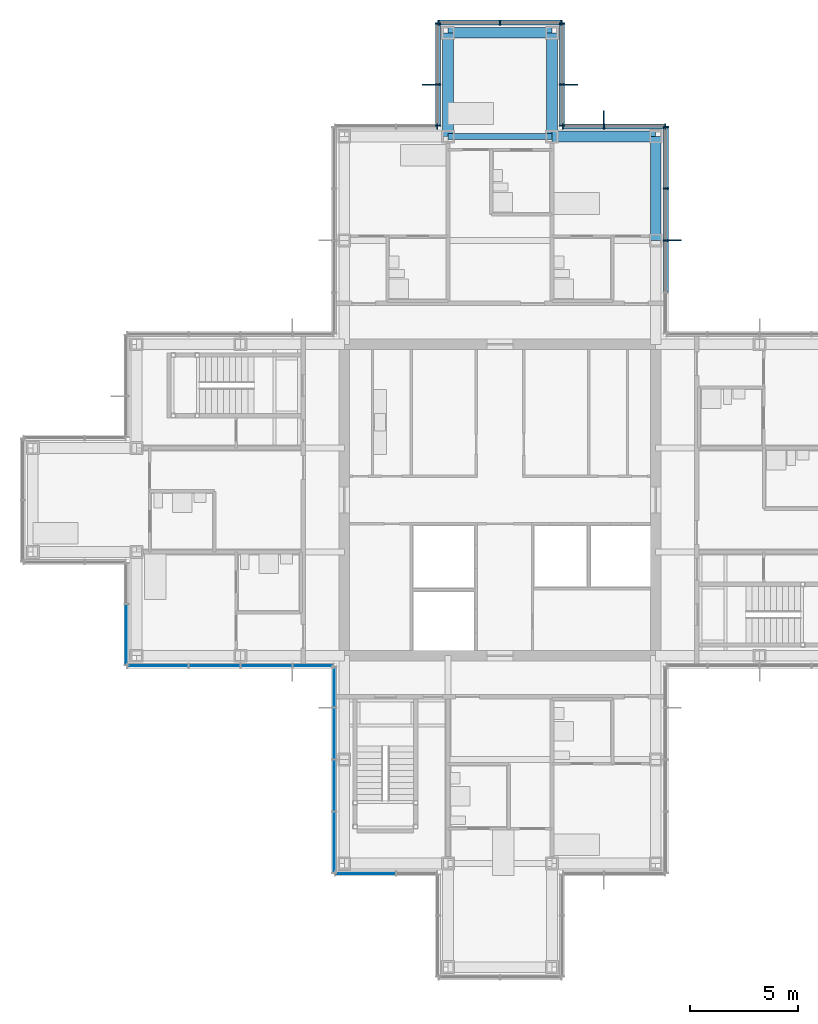
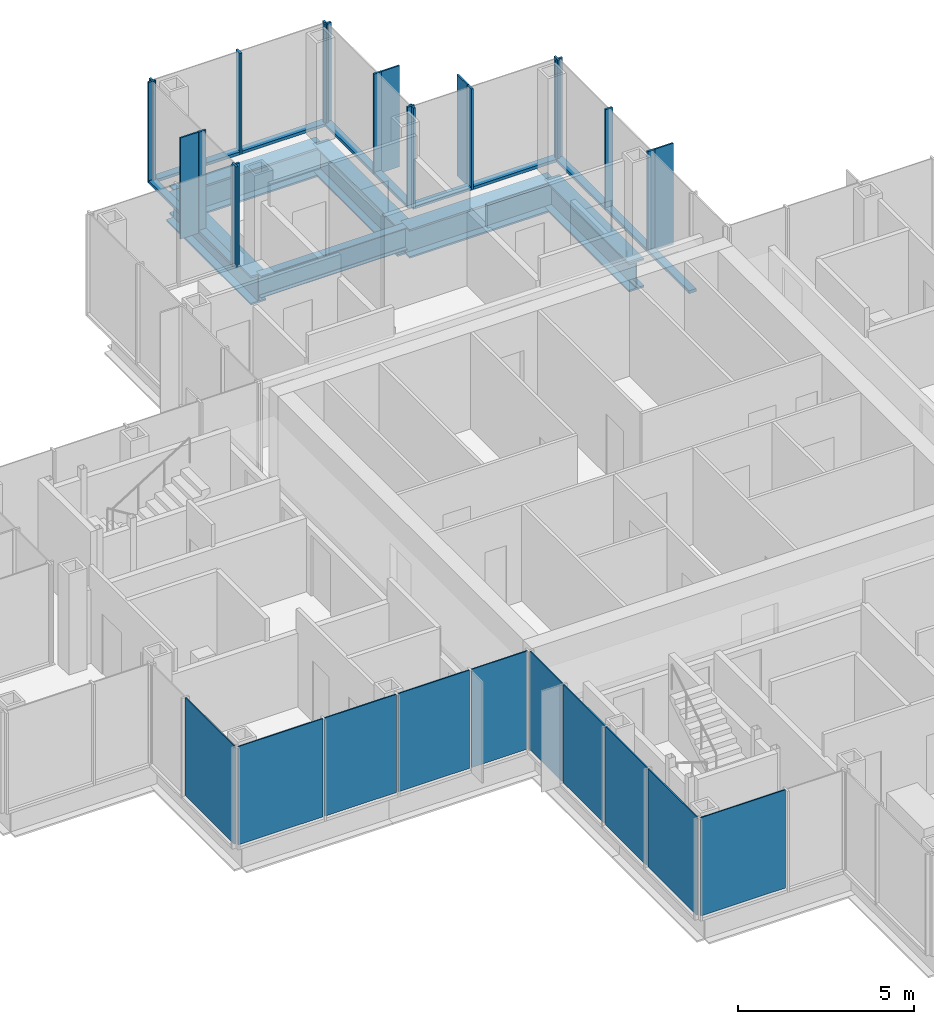
# One storey, part 9 of 17: 31 members, 10 plates, 6 beams, 10 elements without a shape of their own.
"""IFC4 building model written with IfcOpenShell, lengths in metres."""

from ifc_helpers import new_model, si_unit, direction, frame, origin, origin_2d, place, context, subcontext, project, spatial, rectangle, i_section, extrude, material, layer, layer_set, material_profile, profile_set, type_object, element, aggregate, save


model = new_model("IFC4")

# Units and contexts
model_context = context("Model", 3, precision=1e-05, world=origin(), true_north=direction((0.0, 1.0)))
body_context = subcontext(model_context, "Body", "Model", "MODEL_VIEW")
ifc_project = project(units=[si_unit("LENGTHUNIT", "METRE"), si_unit("AREAUNIT", "SQUARE_METRE"), si_unit("VOLUMEUNIT", "CUBIC_METRE"), si_unit("PLANEANGLEUNIT", "RADIAN"), si_unit("MASSUNIT", "GRAM", prefix="KILO")], contexts=[model_context])

# Site, building, storey
site_placement = place(None, origin())
site = spatial("IfcSite", under=ifc_project, at=site_placement, CompositionType="ELEMENT")
building_placement = place(site_placement, origin())
building = spatial("IfcBuilding", under=site, at=building_placement, Name="Kvirike Care Tower", CompositionType="ELEMENT")
storey_placement = place(building_placement, frame((0.0, 0.0, 179.5)))
storey = spatial("IfcBuildingStorey", under=building, at=storey_placement, Name="L49", CompositionType="ELEMENT", Elevation=179.5)

# Curtain wall, member
ifc_material_1 = material(Name="Anodised aluminium stick system", Category="aluminium")
curtain_wall_type = type_object("IfcCurtainWallType", Name="CW-C STICK CURTAIN WALL", PredefinedType="NOTDEFINED", material=ifc_material_1)
curtain_wall_1_placement = place(storey_placement, origin())
curtain_wall_1 = element("IfcCurtainWall", 1, at=curtain_wall_1_placement, inside=storey, type_object=curtain_wall_type, Name="Curtain wall L49 face 8", PredefinedType="NOTDEFINED")
ifc_material_2 = material(Name="Bronze anodised aluminium fin", Category="aluminium")
ifc_material_profile_1 = material_profile(ifc_material_2, rectangle(XDim=0.050048828125, YDim=0.60009765625, at=origin_2d()), Name="BRONZE FIN 600")
ifc_profile_set_1 = profile_set([ifc_material_profile_1], Name="Bronze anodised aluminium fin")
member_type_1 = type_object("IfcMemberType", Name="BRONZE FIN 600", PredefinedType="USERDEFINED", material=ifc_profile_set_1)
member_1_placement = place(storey_placement, frame((29.68994140625, 48.0, 0.0), z_axis=(0.0, 0.0, 1.0), x_axis=(0.0, 1.0, 0.0)))
member_1 = element("IfcMember", 2, at=member_1_placement, type_object=member_type_1, Name="Bronze fin L49 face 8.3", ObjectType="FIN", PredefinedType="USERDEFINED", context=body_context, shape_type="SweptSolid", body=[
    extrude(rectangle(XDim=0.050048828125, YDim=0.60009765625, at=origin_2d()), origin(), (0.0, 0.0, 1.0), 3.5),
])

curtain_wall_2_placement = place(storey_placement, origin())
curtain_wall_2 = element("IfcCurtainWall", 3, at=curtain_wall_2_placement, inside=storey, type_object=curtain_wall_type, Name="Curtain wall L49 face 9", PredefinedType="NOTDEFINED")
member_2_placement = place(storey_placement, frame((26.39990234375, 53.68994140625, 0.0), z_axis=(0.0, 0.0, 1.0), x_axis=(-1.0, 0.0, 0.0)))
member_2 = element("IfcMember", 4, at=member_2_placement, type_object=member_type_1, Name="Bronze fin L49 face 9.2", ObjectType="FIN", PredefinedType="USERDEFINED", context=body_context, shape_type="SweptSolid", body=[
    extrude(rectangle(XDim=0.050048828125, YDim=0.60009765625, at=origin_2d()), origin(), (0.0, 0.0, 1.0), 3.5),
])

curtain_wall_3_placement = place(storey_placement, origin())
curtain_wall_3 = element("IfcCurtainWall", 5, at=curtain_wall_3_placement, inside=storey, type_object=curtain_wall_type, Name="Curtain wall L49 face 10", PredefinedType="NOTDEFINED")
member_3_placement = place(storey_placement, frame((24.889892578125, 55.199951171875, 0.0), z_axis=(0.0, 0.0, 1.0), x_axis=(0.0, 1.0, 0.0)))
member_3 = element("IfcMember", 6, at=member_3_placement, type_object=member_type_1, Name="Bronze fin L49 face 10.2", ObjectType="FIN", PredefinedType="USERDEFINED", context=body_context, shape_type="SweptSolid", body=[
    extrude(rectangle(XDim=0.050048828125, YDim=0.60009765625, at=origin_2d()), origin(), (0.0, 0.0, 1.0), 3.5),
])

curtain_wall_4_placement = place(storey_placement, origin())
curtain_wall_4 = element("IfcCurtainWall", 7, at=curtain_wall_4_placement, inside=storey, type_object=curtain_wall_type, Name="Curtain wall L49 face 12", PredefinedType="NOTDEFINED")
member_4_placement = place(storey_placement, frame((18.31005859375, 55.199951171875, 0.0), z_axis=(0.0, 0.0, 1.0), x_axis=(0.0, -1.0, 0.0)))
member_4 = element("IfcMember", 8, at=member_4_placement, type_object=member_type_1, Name="Bronze fin L49 face 12.2", ObjectType="FIN", PredefinedType="USERDEFINED", context=body_context, shape_type="SweptSolid", body=[
    extrude(rectangle(XDim=0.050048828125, YDim=0.60009765625, at=origin_2d()), origin(), (0.0, 0.0, 1.0), 3.5),
])

# Member
ifc_material_3 = material(Name="Bronze anodised aluminium mullion", Category="aluminium")
ifc_material_profile_2 = material_profile(ifc_material_3, rectangle(XDim=0.06494140625, YDim=0.239990234375, at=origin_2d()), Name="CW-C MULLION 65x240")
ifc_profile_set_2 = profile_set([ifc_material_profile_2], Name="Bronze anodised aluminium mullion")
member_type_2 = type_object("IfcMemberType", Name="CW-C MULLION 65x240", PredefinedType="MULLION", material=ifc_profile_set_2)
member_5_placement = place(storey_placement, frame((29.27001953125, 48.0, 0.0), z_axis=(0.0, 0.0, 1.0), x_axis=(0.0, 1.0, 0.0)))
member_5 = element("IfcMember", 9, at=member_5_placement, type_object=member_type_2, Name="CW-C mullion L49 face 8.3", PredefinedType="MULLION", context=body_context, shape_type="SweptSolid", body=[
    extrude(rectangle(XDim=0.06494140625, YDim=0.239990234375, at=origin_2d()), origin(), (0.0, 0.0, 1.0), 3.5),
])

member_6_placement = place(storey_placement, frame((29.27001953125, 50.39990234375, 0.0), z_axis=(0.0, 0.0, 1.0), x_axis=(0.0, 1.0, 0.0)))
member_6 = element("IfcMember", 10, at=member_6_placement, type_object=member_type_2, Name="CW-C mullion L49 face 8.4", PredefinedType="MULLION", context=body_context, shape_type="SweptSolid", body=[
    extrude(rectangle(XDim=0.06494140625, YDim=0.239990234375, at=origin_2d()), origin(), (0.0, 0.0, 1.0), 3.5),
])

member_7_placement = place(storey_placement, frame((29.27001953125, 53.237548828125, 0.0), z_axis=(0.0, 0.0, 1.0), x_axis=(0.0, 1.0, 0.0)))
member_7 = element("IfcMember", 11, at=member_7_placement, type_object=member_type_2, Name="CW-C mullion L49 face 8.5", PredefinedType="MULLION", context=body_context, shape_type="SweptSolid", body=[
    extrude(rectangle(XDim=0.06494140625, YDim=0.239990234375, at=origin_2d()), origin(), (0.0, 0.0, 1.0), 3.5),
])

member_8_placement = place(storey_placement, frame((29.237548828125, 53.27001953125, 0.0), z_axis=(0.0, 0.0, 1.0), x_axis=(-1.0, 0.0, 0.0)))
member_8 = element("IfcMember", 12, at=member_8_placement, type_object=member_type_2, Name="CW-C mullion L49 face 9.1", PredefinedType="MULLION", context=body_context, shape_type="SweptSolid", body=[
    extrude(rectangle(XDim=0.06494140625, YDim=0.239990234375, at=origin_2d()), origin(), (0.0, 0.0, 1.0), 3.5),
])

member_9_placement = place(storey_placement, frame((26.39990234375, 53.27001953125, 0.0), z_axis=(0.0, 0.0, 1.0), x_axis=(-1.0, 0.0, 0.0)))
member_9 = element("IfcMember", 13, at=member_9_placement, type_object=member_type_2, Name="CW-C mullion L49 face 9.2", PredefinedType="MULLION", context=body_context, shape_type="SweptSolid", body=[
    extrude(rectangle(XDim=0.06494140625, YDim=0.239990234375, at=origin_2d()), origin(), (0.0, 0.0, 1.0), 3.5),
])

member_10_placement = place(storey_placement, frame((24.50244140625, 53.27001953125, 0.0), z_axis=(0.0, 0.0, 1.0), x_axis=(-1.0, 0.0, 0.0)))
member_10 = element("IfcMember", 14, at=member_10_placement, type_object=member_type_2, Name="CW-C mullion L49 face 9.3", PredefinedType="MULLION", context=body_context, shape_type="SweptSolid", body=[
    extrude(rectangle(XDim=0.06494140625, YDim=0.239990234375, at=origin_2d()), origin(), (0.0, 0.0, 1.0), 3.5),
])

member_11_placement = place(storey_placement, frame((24.469970703125, 53.302490234375, 0.0), z_axis=(0.0, 0.0, 1.0), x_axis=(0.0, 1.0, 0.0)))
member_11 = element("IfcMember", 15, at=member_11_placement, type_object=member_type_2, Name="CW-C mullion L49 face 10.1", PredefinedType="MULLION", context=body_context, shape_type="SweptSolid", body=[
    extrude(rectangle(XDim=0.06494140625, YDim=0.239990234375, at=origin_2d()), origin(), (0.0, 0.0, 1.0), 3.5),
])

member_12_placement = place(storey_placement, frame((24.469970703125, 55.199951171875, 0.0), z_axis=(0.0, 0.0, 1.0), x_axis=(0.0, 1.0, 0.0)))
member_12 = element("IfcMember", 16, at=member_12_placement, type_object=member_type_2, Name="CW-C mullion L49 face 10.2", PredefinedType="MULLION", context=body_context, shape_type="SweptSolid", body=[
    extrude(rectangle(XDim=0.06494140625, YDim=0.239990234375, at=origin_2d()), origin(), (0.0, 0.0, 1.0), 3.5),
])

member_13_placement = place(storey_placement, frame((24.469970703125, 58.03759765625, 0.0), z_axis=(0.0, 0.0, 1.0), x_axis=(0.0, 1.0, 0.0)))
member_13 = element("IfcMember", 17, at=member_13_placement, type_object=member_type_2, Name="CW-C mullion L49 face 10.3", PredefinedType="MULLION", context=body_context, shape_type="SweptSolid", body=[
    extrude(rectangle(XDim=0.06494140625, YDim=0.239990234375, at=origin_2d()), origin(), (0.0, 0.0, 1.0), 3.5),
])

# Curtain wall, members
curtain_wall_5_placement = place(storey_placement, origin())
curtain_wall_5 = element("IfcCurtainWall", 18, at=curtain_wall_5_placement, inside=storey, type_object=curtain_wall_type, Name="Curtain wall L49 face 11", PredefinedType="NOTDEFINED")
member_14_placement = place(storey_placement, frame((24.4375, 58.070068359375, 0.0), z_axis=(0.0, 0.0, 1.0), x_axis=(-1.0, 0.0, 0.0)))
member_14 = element("IfcMember", 19, at=member_14_placement, type_object=member_type_2, Name="CW-C mullion L49 face 11.1", PredefinedType="MULLION", context=body_context, shape_type="SweptSolid", body=[
    extrude(rectangle(XDim=0.06494140625, YDim=0.239990234375, at=origin_2d()), origin(), (0.0, 0.0, 1.0), 3.5),
])
member_15_placement = place(storey_placement, frame((21.60009765625, 58.070068359375, 0.0), z_axis=(0.0, 0.0, 1.0), x_axis=(-1.0, 0.0, 0.0)))
member_15 = element("IfcMember", 20, at=member_15_placement, type_object=member_type_2, Name="CW-C mullion L49 face 11.2", PredefinedType="MULLION", context=body_context, shape_type="SweptSolid", body=[
    extrude(rectangle(XDim=0.06494140625, YDim=0.239990234375, at=origin_2d()), origin(), (0.0, 0.0, 1.0), 3.5),
])
member_16_placement = place(storey_placement, frame((18.762451171875, 58.070068359375, 0.0), z_axis=(0.0, 0.0, 1.0), x_axis=(-1.0, 0.0, 0.0)))
member_16 = element("IfcMember", 21, at=member_16_placement, type_object=member_type_2, Name="CW-C mullion L49 face 11.3", PredefinedType="MULLION", context=body_context, shape_type="SweptSolid", body=[
    extrude(rectangle(XDim=0.06494140625, YDim=0.239990234375, at=origin_2d()), origin(), (0.0, 0.0, 1.0), 3.5),
])

# Member
member_17_placement = place(storey_placement, frame((18.72998046875, 58.03759765625, 0.0), z_axis=(0.0, 0.0, 1.0), x_axis=(0.0, -1.0, 0.0)))
member_17 = element("IfcMember", 22, at=member_17_placement, type_object=member_type_2, Name="CW-C mullion L49 face 12.1", PredefinedType="MULLION", context=body_context, shape_type="SweptSolid", body=[
    extrude(rectangle(XDim=0.06494140625, YDim=0.239990234375, at=origin_2d()), origin(), (0.0, 0.0, 1.0), 3.5),
])

member_18_placement = place(storey_placement, frame((18.72998046875, 55.199951171875, 0.0), z_axis=(0.0, 0.0, 1.0), x_axis=(0.0, -1.0, 0.0)))
member_18 = element("IfcMember", 23, at=member_18_placement, type_object=member_type_2, Name="CW-C mullion L49 face 12.2", PredefinedType="MULLION", context=body_context, shape_type="SweptSolid", body=[
    extrude(rectangle(XDim=0.06494140625, YDim=0.239990234375, at=origin_2d()), origin(), (0.0, 0.0, 1.0), 3.5),
])

member_19_placement = place(storey_placement, frame((18.72998046875, 53.302490234375, 0.0), z_axis=(0.0, 0.0, 1.0), x_axis=(0.0, -1.0, 0.0)))
member_19 = element("IfcMember", 24, at=member_19_placement, type_object=member_type_2, Name="CW-C mullion L49 face 12.3", PredefinedType="MULLION", context=body_context, shape_type="SweptSolid", body=[
    extrude(rectangle(XDim=0.06494140625, YDim=0.239990234375, at=origin_2d()), origin(), (0.0, 0.0, 1.0), 3.5),
])

# Curtain wall, member
curtain_wall_6_placement = place(storey_placement, origin())
curtain_wall_6 = element("IfcCurtainWall", 25, at=curtain_wall_6_placement, inside=storey, type_object=curtain_wall_type, Name="Curtain wall L49 face 13", PredefinedType="NOTDEFINED")
member_20_placement = place(storey_placement, frame((18.697509765625, 53.27001953125, 0.0), z_axis=(0.0, 0.0, 1.0), x_axis=(-1.0, 0.0, 0.0)))
member_20 = element("IfcMember", 26, at=member_20_placement, type_object=member_type_2, Name="CW-C mullion L49 face 13.1", PredefinedType="MULLION", context=body_context, shape_type="SweptSolid", body=[
    extrude(rectangle(XDim=0.06494140625, YDim=0.239990234375, at=origin_2d()), origin(), (0.0, 0.0, 1.0), 3.5),
])
aggregate(curtain_wall_6, [member_20])

# Member
ifc_material_4 = material(Name="Bronze anodised aluminium transom", Category="aluminium")
ifc_material_profile_3 = material_profile(ifc_material_4, rectangle(XDim=0.239990234375, YDim=0.10009765625, at=origin_2d()), Name="CW-C TRANSOM 240x100")
ifc_profile_set_3 = profile_set([ifc_material_profile_3], Name="Bronze anodised aluminium transom")
member_type_3 = type_object("IfcMemberType", Name="CW-C TRANSOM 240x100", PredefinedType="USERDEFINED", material=ifc_profile_set_3)
member_21_placement = place(storey_placement, frame((29.27001953125, 45.632568359375, 0.050048828125), z_axis=(0.0, 1.0, 0.0), x_axis=(-1.0, 0.0, 0.0)))
member_21 = element("IfcMember", 27, at=member_21_placement, type_object=member_type_3, Name="CW-C sill transom L49 face 8.2", ObjectType="TRANSOM", PredefinedType="USERDEFINED", context=body_context, shape_type="SweptSolid", body=[
    extrude(rectangle(XDim=0.239990234375, YDim=0.10009765625, at=origin_2d()), origin(), (0.0, 0.0, 1.0), 2.3349609375),
])

member_22_placement = place(storey_placement, frame((29.27001953125, 48.032470703125, 0.050048828125), z_axis=(0.0, 1.0, 0.0), x_axis=(-1.0, 0.0, 0.0)))
member_22 = element("IfcMember", 28, at=member_22_placement, type_object=member_type_3, Name="CW-C sill transom L49 face 8.3", ObjectType="TRANSOM", PredefinedType="USERDEFINED", context=body_context, shape_type="SweptSolid", body=[
    extrude(rectangle(XDim=0.239990234375, YDim=0.10009765625, at=origin_2d()), origin(), (0.0, 0.0, 1.0), 2.3349609375),
])

member_23_placement = place(storey_placement, frame((29.27001953125, 50.4326171875, 0.050048828125), z_axis=(0.0, 1.0, 0.0), x_axis=(-1.0, 0.0, 0.0)))
member_23 = element("IfcMember", 29, at=member_23_placement, type_object=member_type_3, Name="CW-C sill transom L49 face 8.4", ObjectType="TRANSOM", PredefinedType="USERDEFINED", context=body_context, shape_type="SweptSolid", body=[
    extrude(rectangle(XDim=0.239990234375, YDim=0.10009765625, at=origin_2d()), origin(), (0.0, 0.0, 1.0), 2.7724609375),
])

aggregate(curtain_wall_1, [member_5, member_1, member_6, member_7, member_21, member_22, member_23])

member_24_placement = place(storey_placement, frame((29.205078125, 53.27001953125, 0.050048828125), z_axis=(-1.0, 0.0, 0.0), x_axis=(0.0, -1.0, 0.0)))
member_24 = element("IfcMember", 30, at=member_24_placement, type_object=member_type_3, Name="CW-C sill transom L49 face 9.1", ObjectType="TRANSOM", PredefinedType="USERDEFINED", context=body_context, shape_type="SweptSolid", body=[
    extrude(rectangle(XDim=0.239990234375, YDim=0.10009765625, at=origin_2d()), origin(), (0.0, 0.0, 1.0), 2.7724609375),
])

member_25_placement = place(storey_placement, frame((26.367431640625, 53.27001953125, 0.050048828125), z_axis=(-1.0, 0.0, 0.0), x_axis=(0.0, -1.0, 0.0)))
member_25 = element("IfcMember", 31, at=member_25_placement, type_object=member_type_3, Name="CW-C sill transom L49 face 9.2", ObjectType="TRANSOM", PredefinedType="USERDEFINED", context=body_context, shape_type="SweptSolid", body=[
    extrude(rectangle(XDim=0.239990234375, YDim=0.10009765625, at=origin_2d()), origin(), (0.0, 0.0, 1.0), 1.83251953125),
])

aggregate(curtain_wall_2, [member_8, member_9, member_2, member_10, member_24, member_25])

member_26_placement = place(storey_placement, frame((24.469970703125, 53.3349609375, 0.050048828125), z_axis=(0.0, 1.0, 0.0), x_axis=(-1.0, 0.0, 0.0)))
member_26 = element("IfcMember", 32, at=member_26_placement, type_object=member_type_3, Name="CW-C sill transom L49 face 10.1", ObjectType="TRANSOM", PredefinedType="USERDEFINED", context=body_context, shape_type="SweptSolid", body=[
    extrude(rectangle(XDim=0.239990234375, YDim=0.10009765625, at=origin_2d()), origin(), (0.0, 0.0, 1.0), 1.83251953125),
])

member_27_placement = place(storey_placement, frame((24.469970703125, 55.232421875, 0.050048828125), z_axis=(0.0, 1.0, 0.0), x_axis=(-1.0, 0.0, 0.0)))
member_27 = element("IfcMember", 33, at=member_27_placement, type_object=member_type_3, Name="CW-C sill transom L49 face 10.2", ObjectType="TRANSOM", PredefinedType="USERDEFINED", context=body_context, shape_type="SweptSolid", body=[
    extrude(rectangle(XDim=0.239990234375, YDim=0.10009765625, at=origin_2d()), origin(), (0.0, 0.0, 1.0), 2.7724609375),
])

aggregate(curtain_wall_3, [member_11, member_12, member_3, member_13, member_26, member_27])

member_28_placement = place(storey_placement, frame((24.405029296875, 58.070068359375, 0.050048828125), z_axis=(-1.0, 0.0, 0.0), x_axis=(0.0, -1.0, 0.0)))
member_28 = element("IfcMember", 34, at=member_28_placement, type_object=member_type_3, Name="CW-C sill transom L49 face 11.1", ObjectType="TRANSOM", PredefinedType="USERDEFINED", context=body_context, shape_type="SweptSolid", body=[
    extrude(rectangle(XDim=0.239990234375, YDim=0.10009765625, at=origin_2d()), origin(), (0.0, 0.0, 1.0), 2.7724609375),
])

member_29_placement = place(storey_placement, frame((21.5673828125, 58.070068359375, 0.050048828125), z_axis=(-1.0, 0.0, 0.0), x_axis=(0.0, -1.0, 0.0)))
member_29 = element("IfcMember", 35, at=member_29_placement, type_object=member_type_3, Name="CW-C sill transom L49 face 11.2", ObjectType="TRANSOM", PredefinedType="USERDEFINED", context=body_context, shape_type="SweptSolid", body=[
    extrude(rectangle(XDim=0.239990234375, YDim=0.10009765625, at=origin_2d()), origin(), (0.0, 0.0, 1.0), 2.7724609375),
])

aggregate(curtain_wall_5, [member_14, member_15, member_16, member_28, member_29])

member_30_placement = place(storey_placement, frame((18.72998046875, 58.0048828125, 0.050048828125), z_axis=(0.0, -1.0, 0.0), x_axis=(1.0, 0.0, 0.0)))
member_30 = element("IfcMember", 36, at=member_30_placement, type_object=member_type_3, Name="CW-C sill transom L49 face 12.1", ObjectType="TRANSOM", PredefinedType="USERDEFINED", context=body_context, shape_type="SweptSolid", body=[
    extrude(rectangle(XDim=0.239990234375, YDim=0.10009765625, at=origin_2d()), origin(), (0.0, 0.0, 1.0), 2.7724609375),
])

member_31_placement = place(storey_placement, frame((18.72998046875, 55.16748046875, 0.050048828125), z_axis=(0.0, -1.0, 0.0), x_axis=(1.0, 0.0, 0.0)))
member_31 = element("IfcMember", 37, at=member_31_placement, type_object=member_type_3, Name="CW-C sill transom L49 face 12.2", ObjectType="TRANSOM", PredefinedType="USERDEFINED", context=body_context, shape_type="SweptSolid", body=[
    extrude(rectangle(XDim=0.239990234375, YDim=0.10009765625, at=origin_2d()), origin(), (0.0, 0.0, 1.0), 1.83251953125),
])

aggregate(curtain_wall_4, [member_17, member_18, member_4, member_19, member_30, member_31])

# Beams
ifc_material_5 = material(Name="Steel S355", Category="steel")
ifc_material_profile_4 = material_profile(ifc_material_5, i_section(OverallWidth=0.26806640625, OverallDepth=0.77001953125, WebThickness=0.015625, FlangeThickness=0.025390625, FilletRadius=0.01708984375, at=origin_2d()), Name="IPE 750x196")
ifc_profile_set_4 = profile_set([ifc_material_profile_4], Name="Steel S355")
beam_type_1 = type_object("IfcBeamType", Name="FLOOR BEAM IPE 750x196", PredefinedType="BEAM", material=ifc_profile_set_4)
beam_placement = place(storey_placement, frame((19.199951171875, 52.800048828125, -0.554931640625), z_axis=(1.0, 0.0, 0.0), x_axis=(0.0, 1.0, 0.0)))
element("IfcBeam", 38, at=beam_placement, inside=storey, type_object=beam_type_1, Name="Floor Beam M7-M8 L49", PredefinedType="BEAM", context=body_context, shape_type="SweptSolid", body=[
    extrude(i_section(OverallWidth=0.26806640625, OverallDepth=0.77001953125, WebThickness=0.015625, FlangeThickness=0.025390625, FilletRadius=0.01708984375, at=origin_2d()), origin(), (0.0, 0.0, 1.0), 4.800048828125),
])
ifc_material_6 = material(Name="Steel S355", Category="steel")
ifc_material_profile_5 = material_profile(ifc_material_6, i_section(OverallWidth=0.5, OverallDepth=1.0, WebThickness=0.030029296875, FlangeThickness=0.06005859375, at=origin_2d()), Name="PG 1000x500x30x60")
ifc_profile_set_5 = profile_set([ifc_material_profile_5], Name="Steel S355")
beam_type_2 = type_object("IfcBeamType", Name="SPANDREL PG 1000x500x30x60", PredefinedType="SPANDREL", material=ifc_profile_set_5)
for number, where, z_axis, x_axis, name in (
    (39, (24.0, 52.800048828125, -0.669921875), (1.0, 0.0, 0.0), (0.0, 1.0, 0.0), "Spandrel M8-M9 L49"),
    (40, (19.199951171875, 57.60009765625, -0.669921875), (1.0, 0.0, 0.0), (0.0, 1.0, 0.0), "Spandrel N7-N8 L49"),
    (41, (19.199951171875, 52.800048828125, -0.669921875), (0.0, 1.0, 0.0), (-1.0, 0.0, 0.0), "Spandrel M7-N7 L49"),
    (42, (24.0, 52.800048828125, -0.669921875), (0.0, 1.0, 0.0), (-1.0, 0.0, 0.0), "Spandrel M8-N8 L49"),
    (43, (28.800048828125, 48.0, -0.669921875), (0.0, 1.0, 0.0), (-1.0, 0.0, 0.0), "Spandrel L9-M9 L49"),
):
    element("IfcBeam", number, at=place(storey_placement, frame(where, z_axis=z_axis, x_axis=x_axis)), inside=storey, type_object=beam_type_2, Name=name, PredefinedType="SPANDREL", context=body_context, shape_type="SweptSolid", body=[
        extrude(i_section(OverallWidth=0.5, OverallDepth=1.0, WebThickness=0.030029296875, FlangeThickness=0.06005859375, at=origin_2d()), origin(), (0.0, 0.0, 1.0), 4.800048828125),
    ])

# Curtain wall, plate
curtain_wall_7_placement = place(storey_placement, origin())
curtain_wall_7 = element("IfcCurtainWall", 44, at=curtain_wall_7_placement, inside=storey, type_object=curtain_wall_type, Name="Curtain wall L49 face 20", PredefinedType="NOTDEFINED")
ifc_material_7 = material(Name="Tinted double glazed unit", Category="glass")
ifc_layer = layer(ifc_material_7, 0.0400390625)
ifc_layer_set = layer_set([ifc_layer], Name="TINTED VISION PANEL 40")
plate_type = type_object("IfcPlateType", Name="TINTED VISION PANEL 40", PredefinedType="CURTAIN_PANEL", material=ifc_layer_set)
plate_1_placement = place(storey_placement, frame((4.330078125, 29.78125, 0.10009765625), z_axis=(0.0, 0.0, 1.0), x_axis=(0.0, -1.0, 0.0)))
plate_1 = element("IfcPlate", 45, at=plate_1_placement, type_object=plate_type, Name="CW-C panel L49 face 20.2", PredefinedType="CURTAIN_PANEL", context=body_context, shape_type="SweptSolid", body=[
    extrude(rectangle(XDim=2.7724609375, YDim=0.0400390625, at=origin_2d()), origin(), (0.0, 0.0, 1.0), 3.39990234375),
])
aggregate(curtain_wall_7, [plate_1])

# Curtain wall, plates
curtain_wall_8_placement = place(storey_placement, origin())
curtain_wall_8 = element("IfcCurtainWall", 46, at=curtain_wall_8_placement, inside=storey, type_object=curtain_wall_type, Name="Curtain wall L49 face 21", PredefinedType="NOTDEFINED")
plate_2_placement = place(storey_placement, frame((5.78125, 28.330078125, 0.10009765625), z_axis=(0.0, 0.0, 1.0), x_axis=(1.0, 0.0, 0.0)))
plate_2 = element("IfcPlate", 47, at=plate_2_placement, type_object=plate_type, Name="CW-C panel L49 face 21.1", PredefinedType="CURTAIN_PANEL", context=body_context, shape_type="SweptSolid", body=[
    extrude(rectangle(XDim=2.7724609375, YDim=0.0400390625, at=origin_2d()), origin(), (0.0, 0.0, 1.0), 3.39990234375),
])
plate_3_placement = place(storey_placement, frame((8.39990234375, 28.330078125, 0.10009765625), z_axis=(0.0, 0.0, 1.0), x_axis=(1.0, 0.0, 0.0)))
plate_3 = element("IfcPlate", 48, at=plate_3_placement, type_object=plate_type, Name="CW-C panel L49 face 21.2", PredefinedType="CURTAIN_PANEL", context=body_context, shape_type="SweptSolid", body=[
    extrude(rectangle(XDim=2.3349609375, YDim=0.0400390625, at=origin_2d()), origin(), (0.0, 0.0, 1.0), 3.39990234375),
])
plate_4_placement = place(storey_placement, frame((10.800048828125, 28.330078125, 0.10009765625), z_axis=(0.0, 0.0, 1.0), x_axis=(1.0, 0.0, 0.0)))
plate_4 = element("IfcPlate", 49, at=plate_4_placement, type_object=plate_type, Name="CW-C panel L49 face 21.3", PredefinedType="CURTAIN_PANEL", context=body_context, shape_type="SweptSolid", body=[
    extrude(rectangle(XDim=2.3349609375, YDim=0.0400390625, at=origin_2d()), origin(), (0.0, 0.0, 1.0), 3.39990234375),
])
plate_5_placement = place(storey_placement, frame((12.94873046875, 28.330078125, 0.10009765625), z_axis=(0.0, 0.0, 1.0), x_axis=(1.0, 0.0, 0.0)))
plate_5 = element("IfcPlate", 50, at=plate_5_placement, type_object=plate_type, Name="CW-C panel L49 face 21.4", PredefinedType="CURTAIN_PANEL", context=body_context, shape_type="SweptSolid", body=[
    extrude(rectangle(XDim=1.83251953125, YDim=0.0400390625, at=origin_2d()), origin(), (0.0, 0.0, 1.0), 3.39990234375),
])
aggregate(curtain_wall_8, [plate_2, plate_3, plate_4, plate_5])

curtain_wall_9_placement = place(storey_placement, origin())
curtain_wall_9 = element("IfcCurtainWall", 51, at=curtain_wall_9_placement, inside=storey, type_object=curtain_wall_type, Name="Curtain wall L49 face 22", PredefinedType="NOTDEFINED")
plate_6_placement = place(storey_placement, frame((13.929931640625, 27.3486328125, 0.10009765625), z_axis=(0.0, 0.0, 1.0), x_axis=(0.0, -1.0, 0.0)))
plate_6 = element("IfcPlate", 52, at=plate_6_placement, type_object=plate_type, Name="CW-C panel L49 face 22.1", PredefinedType="CURTAIN_PANEL", context=body_context, shape_type="SweptSolid", body=[
    extrude(rectangle(XDim=1.83251953125, YDim=0.0400390625, at=origin_2d()), origin(), (0.0, 0.0, 1.0), 3.39990234375),
])
plate_7_placement = place(storey_placement, frame((13.929931640625, 25.199951171875, 0.10009765625), z_axis=(0.0, 0.0, 1.0), x_axis=(0.0, -1.0, 0.0)))
plate_7 = element("IfcPlate", 53, at=plate_7_placement, type_object=plate_type, Name="CW-C panel L49 face 22.2", PredefinedType="CURTAIN_PANEL", context=body_context, shape_type="SweptSolid", body=[
    extrude(rectangle(XDim=2.3349609375, YDim=0.0400390625, at=origin_2d()), origin(), (0.0, 0.0, 1.0), 3.39990234375),
])
plate_8_placement = place(storey_placement, frame((13.929931640625, 22.800048828125, 0.10009765625), z_axis=(0.0, 0.0, 1.0), x_axis=(0.0, -1.0, 0.0)))
plate_8 = element("IfcPlate", 54, at=plate_8_placement, type_object=plate_type, Name="CW-C panel L49 face 22.3", PredefinedType="CURTAIN_PANEL", context=body_context, shape_type="SweptSolid", body=[
    extrude(rectangle(XDim=2.3349609375, YDim=0.0400390625, at=origin_2d()), origin(), (0.0, 0.0, 1.0), 3.39990234375),
])
plate_9_placement = place(storey_placement, frame((13.929931640625, 20.18115234375, 0.10009765625), z_axis=(0.0, 0.0, 1.0), x_axis=(0.0, -1.0, 0.0)))
plate_9 = element("IfcPlate", 55, at=plate_9_placement, type_object=plate_type, Name="CW-C panel L49 face 22.4", PredefinedType="CURTAIN_PANEL", context=body_context, shape_type="SweptSolid", body=[
    extrude(rectangle(XDim=2.7724609375, YDim=0.0400390625, at=origin_2d()), origin(), (0.0, 0.0, 1.0), 3.39990234375),
])
aggregate(curtain_wall_9, [plate_6, plate_7, plate_8, plate_9])

# Curtain wall, plate
curtain_wall_10_placement = place(storey_placement, origin())
curtain_wall_10 = element("IfcCurtainWall", 56, at=curtain_wall_10_placement, inside=storey, type_object=curtain_wall_type, Name="Curtain wall L49 face 23", PredefinedType="NOTDEFINED")
plate_10_placement = place(storey_placement, frame((15.38134765625, 18.72998046875, 0.10009765625), z_axis=(0.0, 0.0, 1.0), x_axis=(1.0, 0.0, 0.0)))
plate_10 = element("IfcPlate", 57, at=plate_10_placement, type_object=plate_type, Name="CW-C panel L49 face 23.1", PredefinedType="CURTAIN_PANEL", context=body_context, shape_type="SweptSolid", body=[
    extrude(rectangle(XDim=2.7724609375, YDim=0.0400390625, at=origin_2d()), origin(), (0.0, 0.0, 1.0), 3.39990234375),
])
aggregate(curtain_wall_10, [plate_10])

save(model, "model.ifc")
